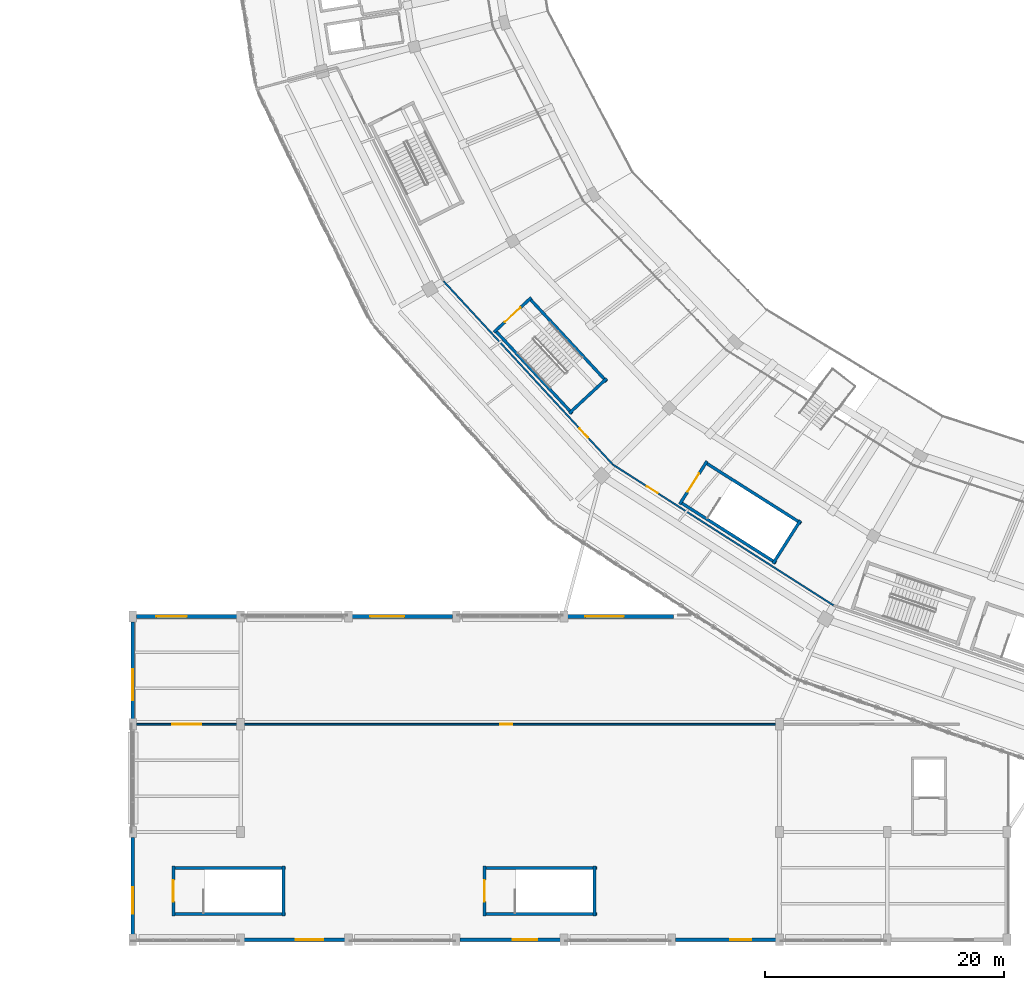
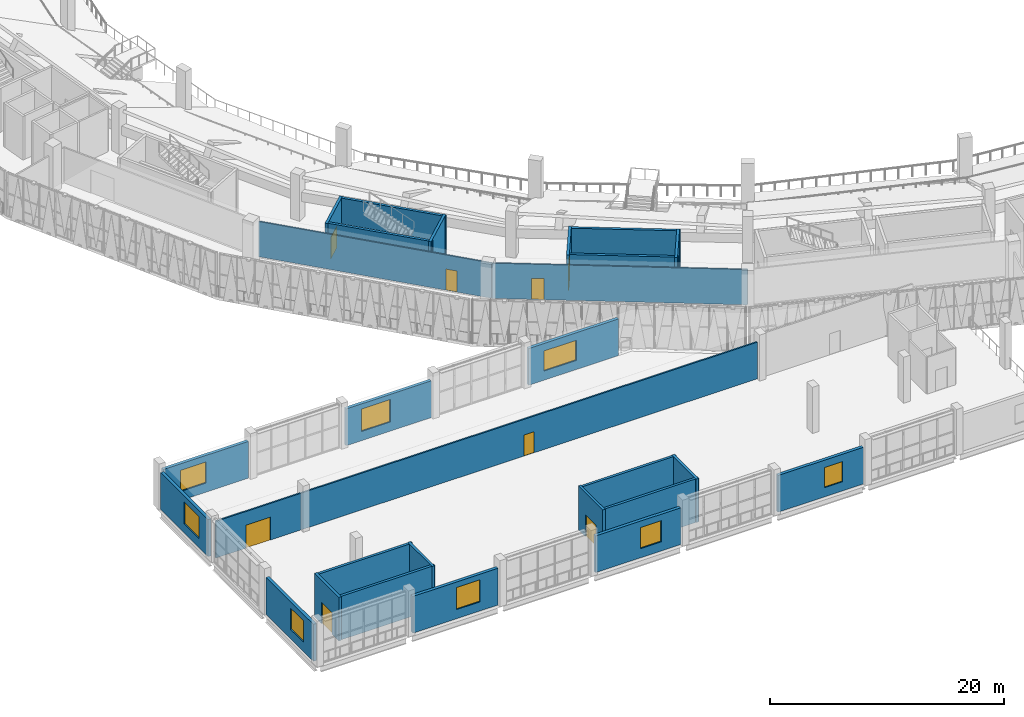
# One storey, part 90 of 152: 28 walls, 8 doors, 8 windows, 16 openings.
"""IFC4 building model written with IfcOpenShell, lengths in metres."""

from ifc_helpers import new_model, si_unit, direction, frame, frame_2d, origin, place, context, subcontext, project, spatial, rectangle, extrude, material, layer, layer_set, type_object, element, fill, save


model = new_model("IFC4")

# Units and contexts
model_context = context("Model", 3, precision=1e-05, world=origin(), true_north=direction((0.0, 1.0)))
body_context = subcontext(model_context, "Body", "Model", "MODEL_VIEW")
ifc_project = project(units=[si_unit("LENGTHUNIT", "METRE"), si_unit("AREAUNIT", "SQUARE_METRE"), si_unit("VOLUMEUNIT", "CUBIC_METRE"), si_unit("PLANEANGLEUNIT", "RADIAN"), si_unit("MASSUNIT", "GRAM", prefix="KILO")], contexts=[model_context])

# Site, building, storey
site_placement = place(None, origin())
site = spatial("IfcSite", under=ifc_project, at=site_placement, CompositionType="ELEMENT")
building_placement = place(site_placement, origin())
building = spatial("IfcBuilding", under=site, at=building_placement, Name="Zevraka Park Crest Stadium", CompositionType="ELEMENT")
storey_placement = place(building_placement, frame((0.0, 0.0, 15.0)))
storey = spatial("IfcBuildingStorey", under=building, at=storey_placement, Name="L03", CompositionType="ELEMENT", Elevation=15.0)

# Wall, opening, window
ifc_material_1 = material(Name="Limestone and red clay brick masonry", Category="masonry")
ifc_layer_1 = layer(ifc_material_1, 0.300048828125)
ifc_layer_set_1 = layer_set([ifc_layer_1], Name="Limestone and red clay brick masonry")
wall_type_1 = type_object("IfcWallType", Name="EW02", PredefinedType="STANDARD", material=ifc_layer_set_1)
wall_1_placement = place(storey_placement, frame((62.699951171875, 0.0, 0.0), z_axis=(0.0, 0.0, 1.0), x_axis=(-1.0, 0.0, 0.0)))
wall_1 = element("IfcWall", 1, at=wall_1_placement, inside=storey, type_object=wall_type_1, Name="Wing External Cavity Wall EW02 L03-SW-S3-3", PredefinedType="STANDARD", context=body_context, shape_type="SweptSolid", body=[
    extrude(rectangle(XDim=8.39990234375, YDim=0.300048828125, at=frame_2d((4.199951171875, 0.0))), origin(), (0.0, 0.0, 1.0), 3.823486328125),
])
opening_1_placement = place(wall_1_placement, frame((2.06494140625, 0.0, 0.949951171875)))
opening_1 = element("IfcOpeningElement", 2, at=opening_1_placement, cuts=wall_1, Name="Opening WN33", PredefinedType="OPENING", context=body_context, shape_type="SweptSolid", body=[
    extrude(rectangle(XDim=1.75, YDim=2.10009765625, at=frame_2d((0.875, 1.050048828125))), frame((0.0, 0.159912109375, 0.0), z_axis=(0.0, -1.0, 0.0), x_axis=(1.0, 0.0, 0.0)), (0.0, 0.0, 1.0), 0.320068359375),
])
ifc_material_2 = material(Name="Solar-control laminated double glazing in aluminium frame", Category="aluminium")
window_type_1 = type_object("IfcWindowType", Name="WN33", PartitioningType="SINGLE_PANEL", PredefinedType="WINDOW", material=ifc_material_2)
window_1_placement = place(opening_1_placement, origin())
window_1 = element("IfcWindow", 3, at=window_1_placement, inside=storey, type_object=window_type_1, Name="Facade Casement Window WN33 W-L03-074", OverallHeight=2.10009765625, OverallWidth=1.75, PartitioningType="SINGLE_PANEL", PredefinedType="WINDOW", context=body_context, shape_type="SweptSolid", body=[
    extrude(rectangle(XDim=1.75, YDim=2.10009765625, at=frame_2d((0.875, 1.050048828125))), frame((0.0, 0.030029296875, 0.0), z_axis=(0.0, -1.0, 0.0), x_axis=(1.0, 0.0, 0.0)), (0.0, 0.0, 1.0), 0.06005859375),
])
fill(opening_1, window_1)

wall_2_placement = place(storey_placement, frame((44.699951171875, 0.0, 0.0), z_axis=(0.0, 0.0, 1.0), x_axis=(-1.0, 0.0, 0.0)))
wall_2 = element("IfcWall", 4, at=wall_2_placement, inside=storey, type_object=wall_type_1, Name="Wing External Cavity Wall EW02 L03-SW-S3-5", PredefinedType="STANDARD", context=body_context, shape_type="SweptSolid", body=[
    extrude(rectangle(XDim=8.39990234375, YDim=0.300048828125, at=frame_2d((4.199951171875, 0.0))), origin(), (0.0, 0.0, 1.0), 3.823486328125),
])
opening_2_placement = place(wall_2_placement, frame((1.9150390625, 0.0, 0.949951171875)))
opening_2 = element("IfcOpeningElement", 5, at=opening_2_placement, cuts=wall_2, Name="Opening WN34", PredefinedType="OPENING", context=body_context, shape_type="SweptSolid", body=[
    extrude(rectangle(XDim=2.050048828125, YDim=2.199951171875, at=frame_2d((1.02490234375, 1.10009765625))), frame((0.0, 0.159912109375, 0.0), z_axis=(0.0, -1.0, 0.0), x_axis=(1.0, 0.0, 0.0)), (0.0, 0.0, 1.0), 0.320068359375),
])
ifc_material_3 = material(Name="Solar-control laminated double glazing in aluminium frame", Category="aluminium")
window_type_2 = type_object("IfcWindowType", Name="WN34", PartitioningType="SINGLE_PANEL", PredefinedType="WINDOW", material=ifc_material_3)
window_2_placement = place(opening_2_placement, origin())
window_2 = element("IfcWindow", 6, at=window_2_placement, inside=storey, type_object=window_type_2, Name="Facade Casement Window WN34 W-L03-075", OverallHeight=2.199951171875, OverallWidth=2.050048828125, PartitioningType="SINGLE_PANEL", PredefinedType="WINDOW", context=body_context, shape_type="SweptSolid", body=[
    extrude(rectangle(XDim=2.050048828125, YDim=2.199951171875, at=frame_2d((1.02490234375, 1.10009765625))), frame((0.0, 0.030029296875, 0.0), z_axis=(0.0, -1.0, 0.0), x_axis=(1.0, 0.0, 0.0)), (0.0, 0.0, 1.0), 0.06005859375),
])
fill(opening_2, window_2)

wall_3_placement = place(storey_placement, frame((26.699951171875, 0.0, 0.0), z_axis=(0.0, 0.0, 1.0), x_axis=(-1.0, 0.0, 0.0)))
wall_3 = element("IfcWall", 7, at=wall_3_placement, inside=storey, type_object=wall_type_1, Name="Wing External Cavity Wall EW02 L03-SW-S3-7", PredefinedType="STANDARD", context=body_context, shape_type="SweptSolid", body=[
    extrude(rectangle(XDim=8.39990234375, YDim=0.300048828125, at=frame_2d((4.199951171875, 0.0))), origin(), (0.0, 0.0, 1.0), 3.823486328125),
])
opening_3_placement = place(wall_3_placement, frame((1.7900390625, 0.0, 0.949951171875)))
opening_3 = element("IfcOpeningElement", 8, at=opening_3_placement, cuts=wall_3, Name="Opening WN35", PredefinedType="OPENING", context=body_context, shape_type="SweptSolid", body=[
    extrude(rectangle(XDim=2.300048828125, YDim=2.300048828125, at=frame_2d((1.14990234375, 1.14990234375))), frame((0.0, 0.159912109375, 0.0), z_axis=(0.0, -1.0, 0.0), x_axis=(1.0, 0.0, 0.0)), (0.0, 0.0, 1.0), 0.320068359375),
])
ifc_material_4 = material(Name="Solar-control laminated double glazing in aluminium frame", Category="aluminium")
window_type_3 = type_object("IfcWindowType", Name="WN35", PartitioningType="SINGLE_PANEL", PredefinedType="WINDOW", material=ifc_material_4)
window_3_placement = place(opening_3_placement, origin())
window_3 = element("IfcWindow", 9, at=window_3_placement, inside=storey, type_object=window_type_3, Name="Facade Casement Window WN35 W-L03-076", OverallHeight=2.300048828125, OverallWidth=2.300048828125, PartitioningType="SINGLE_PANEL", PredefinedType="WINDOW", context=body_context, shape_type="SweptSolid", body=[
    extrude(rectangle(XDim=2.300048828125, YDim=2.300048828125, at=frame_2d((1.14990234375, 1.14990234375))), frame((0.0, 0.030029296875, 0.0), z_axis=(0.0, -1.0, 0.0), x_axis=(1.0, 0.0, 0.0)), (0.0, 0.0, 1.0), 0.06005859375),
])
fill(opening_3, window_3)

wall_4_placement = place(storey_placement, frame((9.0, 0.449951171875, 0.0), z_axis=(0.0, 0.0, 1.0), x_axis=(0.0, 1.0, 0.0)))
wall_4 = element("IfcWall", 10, at=wall_4_placement, inside=storey, type_object=wall_type_1, Name="Wing External Cavity Wall EW02 L03-SW-W-1", PredefinedType="STANDARD", context=body_context, shape_type="SweptSolid", body=[
    extrude(rectangle(XDim=8.10009765625, YDim=0.300048828125, at=frame_2d((4.050048828125, 0.0))), origin(), (0.0, 0.0, 1.0), 3.85693359375),
])
opening_4_placement = place(wall_4_placement, frame((1.72509765625, 0.0, 0.949951171875)))
opening_4 = element("IfcOpeningElement", 11, at=opening_4_placement, cuts=wall_4, Name="Opening WN40", PredefinedType="OPENING", context=body_context, shape_type="SweptSolid", body=[
    extrude(rectangle(XDim=2.219970703125, YDim=2.239990234375, at=frame_2d((1.10986328125, 1.1201171875))), frame((0.0, 0.159912109375, 0.0), z_axis=(0.0, -1.0, 0.0), x_axis=(1.0, 0.0, 0.0)), (0.0, 0.0, 1.0), 0.320068359375),
])
ifc_material_5 = material(Name="Solar-control laminated double glazing in aluminium frame", Category="aluminium")
window_type_4 = type_object("IfcWindowType", Name="WN40", PartitioningType="SINGLE_PANEL", PredefinedType="WINDOW", material=ifc_material_5)
window_4_placement = place(opening_4_placement, origin())
window_4 = element("IfcWindow", 12, at=window_4_placement, inside=storey, type_object=window_type_4, Name="Facade Casement Window WN40 W-L03-081", OverallHeight=2.239990234375, OverallWidth=2.219970703125, PartitioningType="SINGLE_PANEL", PredefinedType="WINDOW", context=body_context, shape_type="SweptSolid", body=[
    extrude(rectangle(XDim=2.219970703125, YDim=2.239990234375, at=frame_2d((1.10986328125, 1.1201171875))), frame((0.0, 0.030029296875, 0.0), z_axis=(0.0, -1.0, 0.0), x_axis=(1.0, 0.0, 0.0)), (0.0, 0.0, 1.0), 0.06005859375),
])
fill(opening_4, window_4)

wall_5_placement = place(storey_placement, frame((9.0, 18.449951171875, 0.0), z_axis=(0.0, 0.0, 1.0), x_axis=(0.0, 1.0, 0.0)))
wall_5 = element("IfcWall", 13, at=wall_5_placement, inside=storey, type_object=wall_type_1, Name="Wing External Cavity Wall EW02 L03-SW-W-3", PredefinedType="STANDARD", context=body_context, shape_type="SweptSolid", body=[
    extrude(rectangle(XDim=8.10009765625, YDim=0.300048828125, at=frame_2d((4.050048828125, 0.0))), origin(), (0.0, 0.0, 1.0), 3.85693359375),
])
opening_5_placement = place(wall_5_placement, frame((1.544921875, 0.0, 0.949951171875)))
opening_5 = element("IfcOpeningElement", 14, at=opening_5_placement, cuts=wall_5, Name="Opening WN41", PredefinedType="OPENING", context=body_context, shape_type="SweptSolid", body=[
    extrude(rectangle(XDim=2.580078125, YDim=2.280029296875, at=frame_2d((1.2900390625, 1.14013671875))), frame((0.0, 0.159912109375, 0.0), z_axis=(0.0, -1.0, 0.0), x_axis=(1.0, 0.0, 0.0)), (0.0, 0.0, 1.0), 0.320068359375),
])
ifc_material_6 = material(Name="Solar-control laminated double glazing in aluminium frame", Category="aluminium")
window_type_5 = type_object("IfcWindowType", Name="WN41", PartitioningType="SINGLE_PANEL", PredefinedType="WINDOW", material=ifc_material_6)
window_5_placement = place(opening_5_placement, origin())
window_5 = element("IfcWindow", 15, at=window_5_placement, inside=storey, type_object=window_type_5, Name="Facade Casement Window WN41 W-L03-082", OverallHeight=2.280029296875, OverallWidth=2.580078125, PartitioningType="SINGLE_PANEL", PredefinedType="WINDOW", context=body_context, shape_type="SweptSolid", body=[
    extrude(rectangle(XDim=2.580078125, YDim=2.280029296875, at=frame_2d((1.2900390625, 1.14013671875))), frame((0.0, 0.030029296875, 0.0), z_axis=(0.0, -1.0, 0.0), x_axis=(1.0, 0.0, 0.0)), (0.0, 0.0, 1.0), 0.06005859375),
])
fill(opening_5, window_5)

wall_6_placement = place(storey_placement, frame((9.300048828125, 27.0, 0.0), z_axis=(0.0, 0.0, 1.0), x_axis=(1.0, 0.0, 0.0)))
wall_6 = element("IfcWall", 16, at=wall_6_placement, inside=storey, type_object=wall_type_1, Name="Wing External Cavity Wall EW02 L03-SW-N-1", PredefinedType="STANDARD", context=body_context, shape_type="SweptSolid", body=[
    extrude(rectangle(XDim=8.39990234375, YDim=0.300048828125, at=frame_2d((4.199951171875, 0.0))), origin(), (0.0, 0.0, 1.0), 3.823486328125),
])
opening_6_placement = place(wall_6_placement, frame((1.6650390625, 0.0, 0.949951171875)))
opening_6 = element("IfcOpeningElement", 17, at=opening_6_placement, cuts=wall_6, Name="Opening WN12", PredefinedType="OPENING", context=body_context, shape_type="SweptSolid", body=[
    extrude(rectangle(XDim=2.550048828125, YDim=2.199951171875, at=frame_2d((1.27490234375, 1.10009765625))), frame((0.0, 0.159912109375, 0.0), z_axis=(0.0, -1.0, 0.0), x_axis=(1.0, 0.0, 0.0)), (0.0, 0.0, 1.0), 0.320068359375),
])
ifc_material_7 = material(Name="Solar-control laminated double glazing in aluminium frame", Category="aluminium")
window_type_6 = type_object("IfcWindowType", Name="WN12", PartitioningType="SINGLE_PANEL", PredefinedType="WINDOW", material=ifc_material_7)
window_6_placement = place(opening_6_placement, origin())
window_6 = element("IfcWindow", 18, at=window_6_placement, inside=storey, type_object=window_type_6, Name="Facade Casement Window WN12 W-L03-094", OverallHeight=2.199951171875, OverallWidth=2.550048828125, PartitioningType="SINGLE_PANEL", PredefinedType="WINDOW", context=body_context, shape_type="SweptSolid", body=[
    extrude(rectangle(XDim=2.550048828125, YDim=2.199951171875, at=frame_2d((1.27490234375, 1.10009765625))), frame((0.0, 0.030029296875, 0.0), z_axis=(0.0, -1.0, 0.0), x_axis=(1.0, 0.0, 0.0)), (0.0, 0.0, 1.0), 0.06005859375),
])
fill(opening_6, window_6)

wall_7_placement = place(storey_placement, frame((27.300048828125, 27.0, 0.0), z_axis=(0.0, 0.0, 1.0), x_axis=(1.0, 0.0, 0.0)))
wall_7 = element("IfcWall", 19, at=wall_7_placement, inside=storey, type_object=wall_type_1, Name="Wing External Cavity Wall EW02 L03-SW-N-3", PredefinedType="STANDARD", context=body_context, shape_type="SweptSolid", body=[
    extrude(rectangle(XDim=8.39990234375, YDim=0.300048828125, at=frame_2d((4.199951171875, 0.0))), origin(), (0.0, 0.0, 1.0), 3.823486328125),
])
opening_7_placement = place(wall_7_placement, frame((1.514892578125, 0.0, 0.949951171875)))
opening_7 = element("IfcOpeningElement", 20, at=opening_7_placement, cuts=wall_7, Name="Opening WN13", PredefinedType="OPENING", context=body_context, shape_type="SweptSolid", body=[
    extrude(rectangle(XDim=2.85009765625, YDim=2.35009765625, at=frame_2d((1.425048828125, 1.175048828125))), frame((0.0, 0.159912109375, 0.0), z_axis=(0.0, -1.0, 0.0), x_axis=(1.0, 0.0, 0.0)), (0.0, 0.0, 1.0), 0.320068359375),
])
ifc_material_8 = material(Name="Solar-control laminated double glazing in aluminium frame", Category="aluminium")
window_type_7 = type_object("IfcWindowType", Name="WN13", PartitioningType="SINGLE_PANEL", PredefinedType="WINDOW", material=ifc_material_8)
window_7_placement = place(opening_7_placement, origin())
window_7 = element("IfcWindow", 21, at=window_7_placement, inside=storey, type_object=window_type_7, Name="Facade Casement Window WN13 W-L03-095", OverallHeight=2.35009765625, OverallWidth=2.85009765625, PartitioningType="SINGLE_PANEL", PredefinedType="WINDOW", context=body_context, shape_type="SweptSolid", body=[
    extrude(rectangle(XDim=2.85009765625, YDim=2.35009765625, at=frame_2d((1.425048828125, 1.175048828125))), frame((0.0, 0.030029296875, 0.0), z_axis=(0.0, -1.0, 0.0), x_axis=(1.0, 0.0, 0.0)), (0.0, 0.0, 1.0), 0.06005859375),
])
fill(opening_7, window_7)

wall_8_placement = place(storey_placement, frame((45.300048828125, 27.0, 0.0), z_axis=(0.0, 0.0, 1.0), x_axis=(1.0, 0.0, 0.0)))
wall_8 = element("IfcWall", 22, at=wall_8_placement, inside=storey, type_object=wall_type_1, Name="Wing External Cavity Wall EW02 L03-SW-N-5", PredefinedType="STANDARD", context=body_context, shape_type="SweptSolid", body=[
    extrude(rectangle(XDim=8.849853515625, YDim=0.300048828125, at=frame_2d((4.4248046875, 0.0))), origin(), (0.0, 0.0, 1.0), 3.823486328125),
])
opening_8_placement = place(wall_8_placement, frame((1.498046875, 0.0, 0.949951171875)))
opening_8 = element("IfcOpeningElement", 23, at=opening_8_placement, cuts=wall_8, Name="Opening WN14", PredefinedType="OPENING", context=body_context, shape_type="SweptSolid", body=[
    extrude(rectangle(XDim=3.199951171875, YDim=2.10009765625, at=frame_2d((1.60009765625, 1.050048828125))), frame((0.0, 0.159912109375, 0.0), z_axis=(0.0, -1.0, 0.0), x_axis=(1.0, 0.0, 0.0)), (0.0, 0.0, 1.0), 0.320068359375),
])
ifc_material_9 = material(Name="Solar-control laminated double glazing in aluminium frame", Category="aluminium")
window_type_8 = type_object("IfcWindowType", Name="WN14", PartitioningType="SINGLE_PANEL", PredefinedType="WINDOW", material=ifc_material_9)
window_8_placement = place(opening_8_placement, origin())
window_8 = element("IfcWindow", 24, at=window_8_placement, inside=storey, type_object=window_type_8, Name="Facade Casement Window WN14 W-L03-096", OverallHeight=2.10009765625, OverallWidth=3.199951171875, PartitioningType="SINGLE_PANEL", PredefinedType="WINDOW", context=body_context, shape_type="SweptSolid", body=[
    extrude(rectangle(XDim=3.199951171875, YDim=2.10009765625, at=frame_2d((1.60009765625, 1.050048828125))), frame((0.0, 0.030029296875, 0.0), z_axis=(0.0, -1.0, 0.0), x_axis=(1.0, 0.0, 0.0)), (0.0, 0.0, 1.0), 0.06005859375),
])
fill(opening_8, window_8)

# Wall, opening, door
ifc_material_10 = material(Name="Fire-rated twin-stud acoustic drywall", Category="other")
ifc_layer_2 = layer(ifc_material_10, 0.139892578125)
ifc_layer_set_2 = layer_set([ifc_layer_2], Name="Fire-rated twin-stud acoustic drywall")
wall_type_2 = type_object("IfcWallType", Name="IW03", PredefinedType="PARTITIONING", material=ifc_layer_set_2)
wall_9_placement = place(storey_placement, frame((34.94091796875, 55.010009765625, 0.0), z_axis=(0.0, 0.0, 1.0), x_axis=(0.678220768878, -0.734858209903, 0.0)))
wall_9 = element("IfcWall", 25, at=wall_9_placement, inside=storey, type_object=wall_type_2, Name="Interior Partition IW03 Sensory Inclusion Viewing Lounge L03", PredefinedType="PARTITIONING", context=body_context, shape_type="SweptSolid", body=[
    extrude(rectangle(XDim=20.850341796875, YDim=0.139892578125, at=frame_2d((10.42529296875, 0.0))), origin(), (0.0, 0.0, 1.0), 3.6650390625),
])
opening_9_placement = place(wall_9_placement, frame((16.759033203125, 0.0, 0.0)))
opening_9 = element("IfcOpeningElement", 26, at=opening_9_placement, cuts=wall_9, Name="Opening D-L03-446", PredefinedType="OPENING", context=body_context, shape_type="SweptSolid", body=[
    extrude(rectangle(XDim=1.02001953125, YDim=2.199951171875, at=frame_2d((0.510009765625, 1.10009765625))), frame((0.0, 0.079833984375, 0.0), z_axis=(0.0, -1.0, 0.0), x_axis=(1.0, 0.0, 0.0)), (0.0, 0.0, 1.0), 0.159912109375),
])
ifc_material_11 = material(Name="Solid-core hardwood timber leaf in steel frame", Category="steel")
door_type_1 = type_object("IfcDoorType", Name="DR21", OperationType="NOTDEFINED", PredefinedType="DOOR", material=ifc_material_11)
door_1_placement = place(opening_9_placement, origin())
door_1 = element("IfcDoor", 27, at=door_1_placement, inside=storey, type_object=door_type_1, Name="Sensory Inclusion Viewing Lounge Door D-L03-446", OperationType="SINGLE_SWING_RIGHT", OverallHeight=2.199951171875, OverallWidth=1.02001953125, PredefinedType="DOOR", context=body_context, shape_type="SweptSolid", body=[
    extrude(rectangle(XDim=1.02001953125, YDim=2.199951171875, at=frame_2d((0.510009765625, 1.10009765625))), frame((0.0, 0.02490234375, 0.0), z_axis=(0.0, -1.0, 0.0), x_axis=(1.0, 0.0, 0.0)), (0.0, 0.0, 1.0), 0.050048828125),
])
fill(opening_9, door_1)

wall_10_placement = place(storey_placement, frame((49.08203125, 39.68798828125, 0.0), z_axis=(0.0, 0.0, 1.0), x_axis=(0.843035459997, -0.537857986077, 0.0)))
wall_10 = element("IfcWall", 28, at=wall_10_placement, inside=storey, type_object=wall_type_2, Name="Interior Partition IW03 Sensory Inclusion Viewing Lounge L03", PredefinedType="PARTITIONING", context=body_context, shape_type="SweptSolid", body=[
    extrude(rectangle(XDim=21.859130859375, YDim=0.139892578125, at=frame_2d((10.9296875, 0.0))), origin(), (0.0, 0.0, 1.0), 3.6650390625),
])
opening_10_placement = place(wall_10_placement, frame((3.37109375, 0.0, 0.0)))
opening_10 = element("IfcOpeningElement", 29, at=opening_10_placement, cuts=wall_10, Name="Opening D-L03-447", PredefinedType="OPENING", context=body_context, shape_type="SweptSolid", body=[
    extrude(rectangle(XDim=1.080078125, YDim=2.199951171875, at=frame_2d((0.5400390625, 1.10009765625))), frame((0.0, 0.079833984375, 0.0), z_axis=(0.0, -1.0, 0.0), x_axis=(1.0, 0.0, 0.0)), (0.0, 0.0, 1.0), 0.159912109375),
])
ifc_material_12 = material(Name="Solid-core hardwood timber leaf in steel frame", Category="steel")
door_type_2 = type_object("IfcDoorType", Name="DR22", OperationType="NOTDEFINED", PredefinedType="DOOR", material=ifc_material_12)
door_2_placement = place(opening_10_placement, origin())
door_2 = element("IfcDoor", 30, at=door_2_placement, inside=storey, type_object=door_type_2, Name="Sensory Inclusion Viewing Lounge Door D-L03-447", OperationType="SINGLE_SWING_LEFT", OverallHeight=2.199951171875, OverallWidth=1.080078125, PredefinedType="DOOR", context=body_context, shape_type="SweptSolid", body=[
    extrude(rectangle(XDim=1.080078125, YDim=2.199951171875, at=frame_2d((0.5400390625, 1.10009765625))), frame((0.0, 0.02490234375, 0.0), z_axis=(0.0, -1.0, 0.0), x_axis=(1.0, 0.0, 0.0)), (0.0, 0.0, 1.0), 0.050048828125),
])
fill(opening_10, door_2)

ifc_material_13 = material(Name="Fire-rated twin-stud acoustic drywall", Category="other")
ifc_layer_3 = layer(ifc_material_13, 0.14990234375)
ifc_layer_set_3 = layer_set([ifc_layer_3], Name="Fire-rated twin-stud acoustic drywall")
wall_type_3 = type_object("IfcWallType", Name="IW05", PredefinedType="PARTITIONING", material=ifc_layer_set_3)
wall_11_placement = place(storey_placement, frame((9.31005859375, 18.0, 0.0), z_axis=(0.0, 0.0, 1.0), x_axis=(1.0, 0.0, 0.0)))
wall_11 = element("IfcWall", 31, at=wall_11_placement, inside=storey, type_object=wall_type_3, Name="Interior Partition IW05 South Upper Broadcast Production Gallery L03", PredefinedType="PARTITIONING", context=body_context, shape_type="SweptSolid", body=[
    extrude(rectangle(XDim=8.3798828125, YDim=0.14990234375, at=frame_2d((4.18994140625, 0.0))), origin(), (0.0, 0.0, 1.0), 3.823486328125),
])
opening_11_placement = place(wall_11_placement, frame((2.989990234375, 0.0, 0.0)))
opening_11 = element("IfcOpeningElement", 32, at=opening_11_placement, cuts=wall_11, Name="Opening D-L03-462", PredefinedType="OPENING", context=body_context, shape_type="SweptSolid", body=[
    extrude(rectangle(XDim=2.39990234375, YDim=2.39990234375, at=frame_2d((1.199951171875, 1.199951171875))), frame((0.0, 0.0849609375, 0.0), z_axis=(0.0, -1.0, 0.0), x_axis=(1.0, 0.0, 0.0)), (0.0, 0.0, 1.0), 0.169921875),
])
ifc_material_14 = material(Name="Solid-core hardwood timber leaf in steel frame", Category="steel")
door_type_3 = type_object("IfcDoorType", Name="DR18", OperationType="NOTDEFINED", PredefinedType="DOOR", material=ifc_material_14)
door_3_placement = place(opening_11_placement, origin())
door_3 = element("IfcDoor", 33, at=door_3_placement, inside=storey, type_object=door_type_3, Name="South Upper Broadcast Production Gallery Door D-L03-462", OperationType="DOUBLE_DOOR_SINGLE_SWING", OverallHeight=2.39990234375, OverallWidth=2.39990234375, PredefinedType="DOOR", context=body_context, shape_type="SweptSolid", body=[
    extrude(rectangle(XDim=2.39990234375, YDim=2.39990234375, at=frame_2d((1.199951171875, 1.199951171875))), frame((0.0, 0.02490234375, 0.0), z_axis=(0.0, -1.0, 0.0), x_axis=(1.0, 0.0, 0.0)), (0.0, 0.0, 1.0), 0.050048828125),
])
fill(opening_11, door_3)

wall_12_placement = place(storey_placement, frame((17.675048828125, 18.0, 0.0), z_axis=(0.0, 0.0, 1.0), x_axis=(1.0, 0.0, 0.0)))
wall_12 = element("IfcWall", 34, at=wall_12_placement, inside=storey, type_object=wall_type_3, Name="Interior Partition IW05 South Upper Broadcast Production Gallery L03", PredefinedType="PARTITIONING", context=body_context, shape_type="SweptSolid", body=[
    extrude(rectangle(XDim=45.014892578125, YDim=0.14990234375, at=frame_2d((22.50732421875, 0.0))), origin(), (0.0, 0.0, 1.0), 3.823486328125),
])
opening_12_placement = place(wall_12_placement, frame((21.998046875, 0.0, 0.0)))
opening_12 = element("IfcOpeningElement", 35, at=opening_12_placement, cuts=wall_12, Name="Opening D-L03-463", PredefinedType="OPENING", context=body_context, shape_type="SweptSolid", body=[
    extrude(rectangle(XDim=1.02001953125, YDim=2.199951171875, at=frame_2d((0.510009765625, 1.10009765625))), frame((0.0, 0.0849609375, 0.0), z_axis=(0.0, -1.0, 0.0), x_axis=(1.0, 0.0, 0.0)), (0.0, 0.0, 1.0), 0.169921875),
])
door_4_placement = place(opening_12_placement, origin())
door_4 = element("IfcDoor", 36, at=door_4_placement, inside=storey, type_object=door_type_1, Name="South Upper Broadcast Production Gallery Door D-L03-463", OperationType="SINGLE_SWING_LEFT", OverallHeight=2.199951171875, OverallWidth=1.02001953125, PredefinedType="DOOR", context=body_context, shape_type="SweptSolid", body=[
    extrude(rectangle(XDim=1.02001953125, YDim=2.199951171875, at=frame_2d((0.510009765625, 1.10009765625))), frame((0.0, 0.02490234375, 0.0), z_axis=(0.0, -1.0, 0.0), x_axis=(1.0, 0.0, 0.0)), (0.0, 0.0, 1.0), 0.050048828125),
])
fill(opening_12, door_4)

# Walls
ifc_material_15 = material(Name="Concrete C40/50", Category="concrete")
ifc_layer_4 = layer(ifc_material_15, 0.25)
ifc_layer_set_4 = layer_set([ifc_layer_4], Name="Concrete C40/50")
wall_type_4 = type_object("IfcWallType", Name="SW01", PredefinedType="SHEAR", material=ifc_layer_set_4)
for number, where, z_axis, x_axis, name in (
    (37, (39.1982421875, 50.952880859375, 0.0), (0.0, 0.0, 1.0), (0.680258890476, -0.732971924379, 0.0), "Stair Core Shear Wall SW01 ST15 L03 left"),
    (38, (48.568115234375, 46.61962890625, 0.0), (0.0, 0.0, 1.0), (-0.680271637111, 0.732960094236, 0.0), "Stair Core Shear Wall SW01 ST15 L03 right"),
):
    element("IfcWall", number, at=place(storey_placement, frame(where, z_axis=z_axis, x_axis=x_axis)), inside=storey, type_object=wall_type_4, Name=name, PredefinedType="SHEAR", context=body_context, shape_type="SweptSolid", body=[
        extrude(rectangle(XDim=9.550048828125, YDim=0.25, at=frame_2d((4.77490234375, 0.0))), origin(), (0.0, 0.0, 1.0), 4.5400390625),
    ])

# Wall, opening, door
wall_13_placement = place(storey_placement, frame((42.28125, 53.6435546875, 0.0), z_axis=(0.0, 0.0, 1.0), x_axis=(-0.732977166505, -0.680253242096, 0.0)))
wall_13 = element("IfcWall", 39, at=wall_13_placement, inside=storey, type_object=wall_type_4, Name="Stair Core Shear Wall SW01 ST15 L03 near", PredefinedType="SHEAR", context=body_context, shape_type="SweptSolid", body=[
    extrude(rectangle(XDim=4.260009765625, YDim=0.25, at=frame_2d((2.1298828125, 0.0))), origin(), (0.0, 0.0, 1.0), 4.5400390625),
])
opening_13_placement = place(wall_13_placement, frame((1.22998046875, 0.0, 0.0)))
opening_13 = element("IfcOpeningElement", 40, at=opening_13_placement, cuts=wall_13, Name="Opening D-L03-091", PredefinedType="OPENING", context=body_context, shape_type="SweptSolid", body=[
    extrude(rectangle(XDim=1.800048828125, YDim=2.25, at=frame_2d((0.89990234375, 1.125))), frame((0.0, 0.135009765625, 0.0), z_axis=(0.0, -1.0, 0.0), x_axis=(1.0, 0.0, 0.0)), (0.0, 0.0, 1.0), 0.27001953125),
])
ifc_material_16 = material(Name="Solid-core hardwood timber leaf in steel frame", Category="steel")
door_type_4 = type_object("IfcDoorType", Name="DR04", OperationType="NOTDEFINED", PredefinedType="DOOR", material=ifc_material_16)
door_5_placement = place(opening_13_placement, origin())
door_5 = element("IfcDoor", 41, at=door_5_placement, inside=storey, type_object=door_type_4, Name="Protected Stair Entry Door ST15 L03", OperationType="DOUBLE_DOOR_SINGLE_SWING", OverallHeight=2.25, OverallWidth=1.800048828125, PredefinedType="DOOR", context=body_context, shape_type="SweptSolid", body=[
    extrude(rectangle(XDim=1.800048828125, YDim=2.25, at=frame_2d((0.89990234375, 1.125))), frame((0.0, 0.02490234375, 0.0), z_axis=(0.0, -1.0, 0.0), x_axis=(1.0, 0.0, 0.0)), (0.0, 0.0, 1.0), 0.050048828125),
])
fill(opening_13, door_5)

# Walls
wall_14_placement = place(storey_placement, frame((45.4443359375, 43.972900390625, 0.0), z_axis=(0.0, 0.0, 1.0), x_axis=(0.73295064559, 0.680281817433, 0.0)))
element("IfcWall", 42, at=wall_14_placement, inside=storey, type_object=wall_type_4, Name="Stair Core Shear Wall SW01 ST15 L03 far", PredefinedType="SHEAR", context=body_context, shape_type="SweptSolid", body=[
    extrude(rectangle(XDim=4.260009765625, YDim=0.25, at=frame_2d((2.1298828125, 0.0))), origin(), (0.0, 0.0, 1.0), 4.5400390625),
])
for number, where, z_axis, x_axis, name in (
    (43, (54.650146484375, 36.58544921875, 0.0), (0.0, 0.0, 1.0), (0.844391246241, -0.535727004427, 0.0), "Stair Core Shear Wall SW01 ST16 L03 left"),
    (44, (64.81396484375, 34.779296875, 0.0), (0.0, 0.0, 1.0), (-0.844391246241, 0.535727004427, 0.0), "Stair Core Shear Wall SW01 ST16 L03 right"),
):
    element("IfcWall", number, at=place(storey_placement, frame(where, z_axis=z_axis, x_axis=x_axis)), inside=storey, type_object=wall_type_4, Name=name, PredefinedType="SHEAR", context=body_context, shape_type="SweptSolid", body=[
        extrude(rectangle(XDim=9.550048828125, YDim=0.25, at=frame_2d((4.77490234375, 0.0))), origin(), (0.0, 0.0, 1.0), 4.5400390625),
    ])

# Wall, opening, door
wall_15_placement = place(storey_placement, frame((56.94677734375, 39.971923828125, 0.0), z_axis=(0.0, 0.0, 1.0), x_axis=(-0.53572544074, -0.844392238325, 0.0)))
wall_15 = element("IfcWall", 45, at=wall_15_placement, inside=storey, type_object=wall_type_4, Name="Stair Core Shear Wall SW01 ST16 L03 near", PredefinedType="SHEAR", context=body_context, shape_type="SweptSolid", body=[
    extrude(rectangle(XDim=4.260009765625, YDim=0.25, at=frame_2d((2.1298828125, 0.0))), origin(), (0.0, 0.0, 1.0), 4.5400390625),
])
opening_14_placement = place(wall_15_placement, frame((1.22998046875, 0.0, 0.0)))
opening_14 = element("IfcOpeningElement", 46, at=opening_14_placement, cuts=wall_15, Name="Opening D-L03-097", PredefinedType="OPENING", context=body_context, shape_type="SweptSolid", body=[
    extrude(rectangle(XDim=1.800048828125, YDim=2.25, at=frame_2d((0.89990234375, 1.125))), frame((0.0, 0.135009765625, 0.0), z_axis=(0.0, -1.0, 0.0), x_axis=(1.0, 0.0, 0.0)), (0.0, 0.0, 1.0), 0.27001953125),
])
door_6_placement = place(opening_14_placement, origin())
door_6 = element("IfcDoor", 47, at=door_6_placement, inside=storey, type_object=door_type_4, Name="Protected Stair Entry Door ST16 L03", OperationType="DOUBLE_DOOR_SINGLE_SWING", OverallHeight=2.25, OverallWidth=1.800048828125, PredefinedType="DOOR", context=body_context, shape_type="SweptSolid", body=[
    extrude(rectangle(XDim=1.800048828125, YDim=2.25, at=frame_2d((0.89990234375, 1.125))), frame((0.0, 0.02490234375, 0.0), z_axis=(0.0, -1.0, 0.0), x_axis=(1.0, 0.0, 0.0)), (0.0, 0.0, 1.0), 0.050048828125),
])
fill(opening_14, door_6)

# Walls
wall_16_placement = place(storey_placement, frame((62.466796875, 31.4248046875, 0.0), z_axis=(0.0, 0.0, 1.0), x_axis=(0.53572544074, 0.844392238325, 0.0)))
element("IfcWall", 48, at=wall_16_placement, inside=storey, type_object=wall_type_4, Name="Stair Core Shear Wall SW01 ST16 L03 far", PredefinedType="SHEAR", context=body_context, shape_type="SweptSolid", body=[
    extrude(rectangle(XDim=4.260009765625, YDim=0.25, at=frame_2d((2.1298828125, 0.0))), origin(), (0.0, 0.0, 1.0), 4.5400390625),
])
for number, where, z_axis, x_axis, name in (
    (49, (12.25, 2.169921875, 0.0), (0.0, 0.0, 1.0), (1.0, 0.0, 0.0), "Stair Core Shear Wall SW01 ST51 L03 left"),
    (50, (21.75, 5.989990234375, 0.0), (0.0, 0.0, 1.0), (-1.0, 0.0, 0.0), "Stair Core Shear Wall SW01 ST51 L03 right"),
):
    element("IfcWall", number, at=place(storey_placement, frame(where, z_axis=z_axis, x_axis=x_axis)), inside=storey, type_object=wall_type_4, Name=name, PredefinedType="SHEAR", context=body_context, shape_type="SweptSolid", body=[
        extrude(rectangle(XDim=9.5, YDim=0.25, at=frame_2d((4.75, 0.0))), origin(), (0.0, 0.0, 1.0), 4.5400390625),
    ])

# Wall, opening, door
wall_17_placement = place(storey_placement, frame((12.375, 6.159912109375, 0.0), z_axis=(0.0, 0.0, 1.0), x_axis=(0.0, -1.0, 0.0)))
wall_17 = element("IfcWall", 51, at=wall_17_placement, inside=storey, type_object=wall_type_4, Name="Stair Core Shear Wall SW01 ST51 L03 near", PredefinedType="SHEAR", context=body_context, shape_type="SweptSolid", body=[
    extrude(rectangle(XDim=4.159912109375, YDim=0.25, at=frame_2d((2.080078125, 0.0))), origin(), (0.0, 0.0, 1.0), 4.5400390625),
])
opening_15_placement = place(wall_17_placement, frame((1.179931640625, 0.0, 0.0)))
opening_15 = element("IfcOpeningElement", 52, at=opening_15_placement, cuts=wall_17, Name="Opening D-L03-267", PredefinedType="OPENING", context=body_context, shape_type="SweptSolid", body=[
    extrude(rectangle(XDim=1.800048828125, YDim=2.25, at=frame_2d((0.89990234375, 1.125))), frame((0.0, 0.135009765625, 0.0), z_axis=(0.0, -1.0, 0.0), x_axis=(1.0, 0.0, 0.0)), (0.0, 0.0, 1.0), 0.27001953125),
])
door_7_placement = place(opening_15_placement, origin())
door_7 = element("IfcDoor", 53, at=door_7_placement, inside=storey, type_object=door_type_4, Name="Protected Stair Entry Door ST51 L03", OperationType="DOUBLE_DOOR_SINGLE_SWING", OverallHeight=2.25, OverallWidth=1.800048828125, PredefinedType="DOOR", context=body_context, shape_type="SweptSolid", body=[
    extrude(rectangle(XDim=1.800048828125, YDim=2.25, at=frame_2d((0.89990234375, 1.125))), frame((0.0, 0.02490234375, 0.0), z_axis=(0.0, -1.0, 0.0), x_axis=(1.0, 0.0, 0.0)), (0.0, 0.0, 1.0), 0.050048828125),
])
fill(opening_15, door_7)

# Walls
wall_18_placement = place(storey_placement, frame((21.56494140625, 2.0, 0.0), z_axis=(0.0, 0.0, 1.0), x_axis=(0.0, 1.0, 0.0)))
element("IfcWall", 54, at=wall_18_placement, inside=storey, type_object=wall_type_4, Name="Stair Core Shear Wall SW01 ST51 L03 far", PredefinedType="SHEAR", context=body_context, shape_type="SweptSolid", body=[
    extrude(rectangle(XDim=4.159912109375, YDim=0.25, at=frame_2d((2.080078125, 0.0))), origin(), (0.0, 0.0, 1.0), 4.5400390625),
])
for number, where, z_axis, x_axis, name in (
    (55, (38.25, 2.169921875, 0.0), (0.0, 0.0, 1.0), (1.0, 0.0, 0.0), "Stair Core Shear Wall SW01 ST52 L03 left"),
    (56, (47.75, 5.989990234375, 0.0), (0.0, 0.0, 1.0), (-1.0, 0.0, 0.0), "Stair Core Shear Wall SW01 ST52 L03 right"),
):
    element("IfcWall", number, at=place(storey_placement, frame(where, z_axis=z_axis, x_axis=x_axis)), inside=storey, type_object=wall_type_4, Name=name, PredefinedType="SHEAR", context=body_context, shape_type="SweptSolid", body=[
        extrude(rectangle(XDim=9.5, YDim=0.25, at=frame_2d((4.75, 0.0))), origin(), (0.0, 0.0, 1.0), 4.5400390625),
    ])

# Wall, opening, door
wall_19_placement = place(storey_placement, frame((38.375, 6.159912109375, 0.0), z_axis=(0.0, 0.0, 1.0), x_axis=(0.0, -1.0, 0.0)))
wall_19 = element("IfcWall", 57, at=wall_19_placement, inside=storey, type_object=wall_type_4, Name="Stair Core Shear Wall SW01 ST52 L03 near", PredefinedType="SHEAR", context=body_context, shape_type="SweptSolid", body=[
    extrude(rectangle(XDim=4.159912109375, YDim=0.25, at=frame_2d((2.080078125, 0.0))), origin(), (0.0, 0.0, 1.0), 4.5400390625),
])
opening_16_placement = place(wall_19_placement, frame((1.179931640625, 0.0, 0.0)))
opening_16 = element("IfcOpeningElement", 58, at=opening_16_placement, cuts=wall_19, Name="Opening D-L03-272", PredefinedType="OPENING", context=body_context, shape_type="SweptSolid", body=[
    extrude(rectangle(XDim=1.800048828125, YDim=2.25, at=frame_2d((0.89990234375, 1.125))), frame((0.0, 0.135009765625, 0.0), z_axis=(0.0, -1.0, 0.0), x_axis=(1.0, 0.0, 0.0)), (0.0, 0.0, 1.0), 0.27001953125),
])
door_8_placement = place(opening_16_placement, origin())
door_8 = element("IfcDoor", 59, at=door_8_placement, inside=storey, type_object=door_type_4, Name="Protected Stair Entry Door ST52 L03", OperationType="DOUBLE_DOOR_SINGLE_SWING", OverallHeight=2.25, OverallWidth=1.800048828125, PredefinedType="DOOR", context=body_context, shape_type="SweptSolid", body=[
    extrude(rectangle(XDim=1.800048828125, YDim=2.25, at=frame_2d((0.89990234375, 1.125))), frame((0.0, 0.02490234375, 0.0), z_axis=(0.0, -1.0, 0.0), x_axis=(1.0, 0.0, 0.0)), (0.0, 0.0, 1.0), 0.050048828125),
])
fill(opening_16, door_8)

# Wall
wall_20_placement = place(storey_placement, frame((47.56494140625, 2.0, 0.0), z_axis=(0.0, 0.0, 1.0), x_axis=(0.0, 1.0, 0.0)))
element("IfcWall", 60, at=wall_20_placement, inside=storey, type_object=wall_type_4, Name="Stair Core Shear Wall SW01 ST52 L03 far", PredefinedType="SHEAR", context=body_context, shape_type="SweptSolid", body=[
    extrude(rectangle(XDim=4.159912109375, YDim=0.25, at=frame_2d((2.080078125, 0.0))), origin(), (0.0, 0.0, 1.0), 4.5400390625),
])

save(model, "model.ifc")
